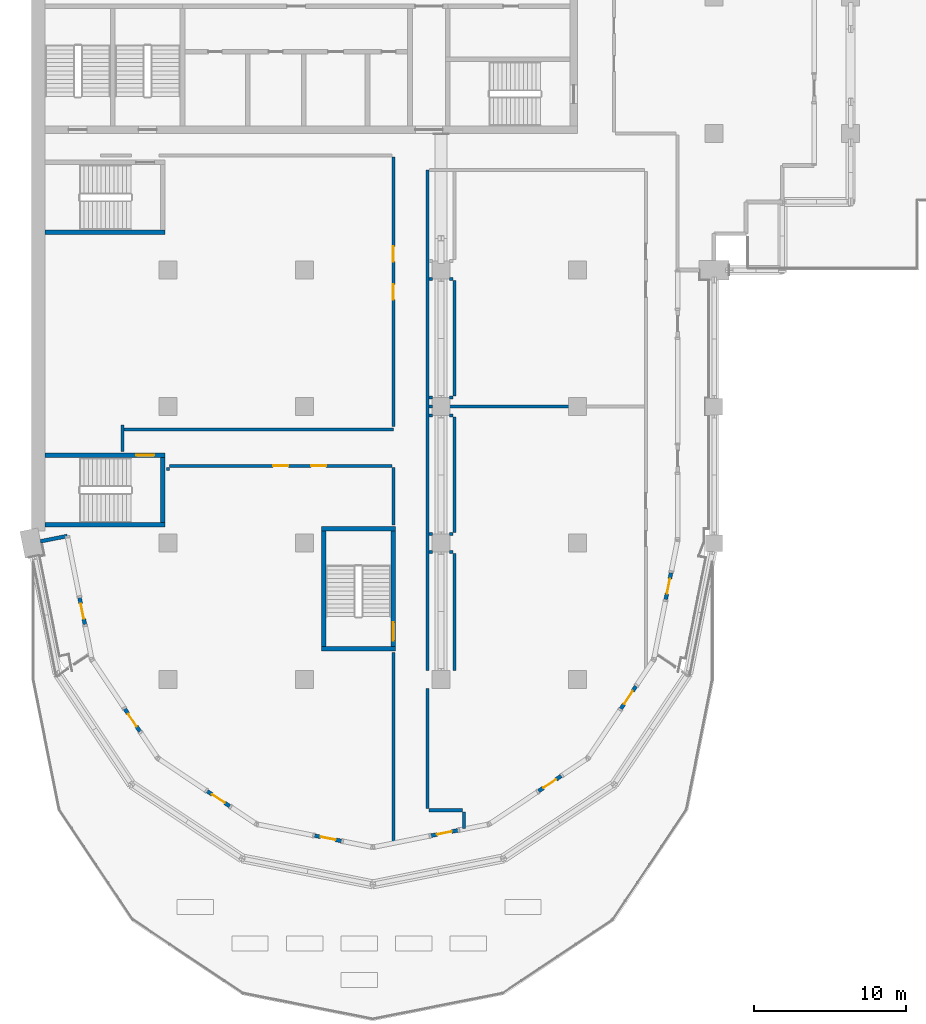
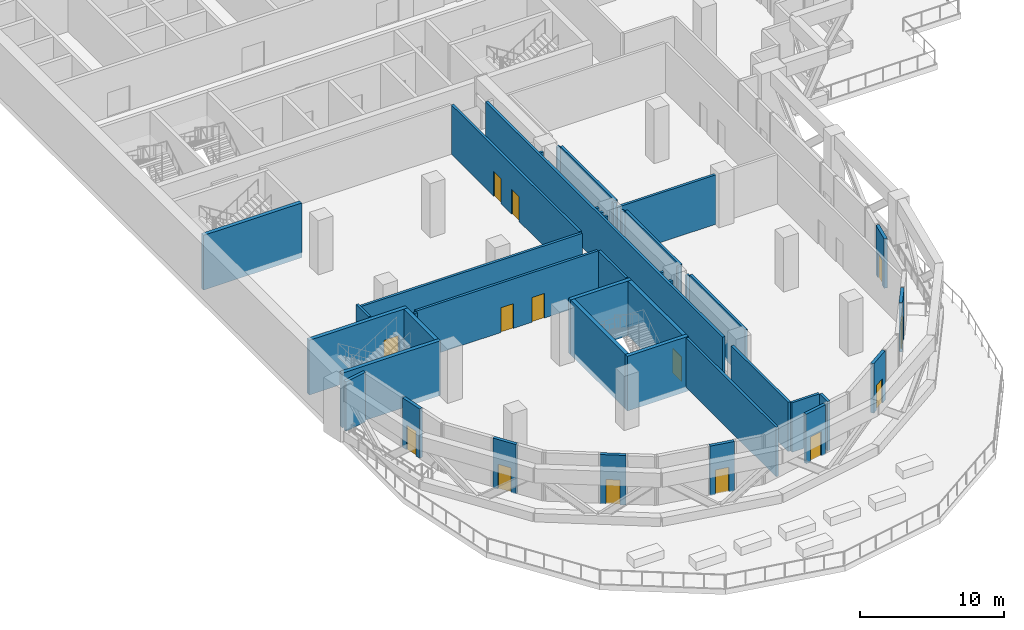
# One storey, part 7 of 20: 43 walls, 14 doors, 14 openings.
"""IFC4 building model written with IfcOpenShell, lengths in metres."""

from ifc_helpers import new_model, si_unit, direction, frame, frame_2d, origin, place, context, subcontext, project, spatial, rectangle, extrude, material, layer, layer_set, type_object, element, fill, save


model = new_model("IFC4")

# Units and contexts
model_context = context("Model", 3, precision=1e-05, world=origin(), true_north=direction((0.0, 1.0)))
body_context = subcontext(model_context, "Body", "Model", "MODEL_VIEW")
ifc_project = project(units=[si_unit("LENGTHUNIT", "METRE"), si_unit("AREAUNIT", "SQUARE_METRE"), si_unit("VOLUMEUNIT", "CUBIC_METRE"), si_unit("PLANEANGLEUNIT", "RADIAN"), si_unit("MASSUNIT", "GRAM", prefix="KILO")], contexts=[model_context])

# Site, building, storey
site_placement = place(None, origin())
site = spatial("IfcSite", under=ifc_project, at=site_placement, CompositionType="ELEMENT")
building_placement = place(site_placement, origin())
building = spatial("IfcBuilding", under=site, at=building_placement, Name="Hunhe Ridgeline Campus", CompositionType="ELEMENT")
storey_placement = place(building_placement, frame((0.0, 0.0, 178.199951171875)))
storey = spatial("IfcBuildingStorey", under=building, at=storey_placement, Name="L45", CompositionType="ELEMENT", Elevation=178.199951171875)

# Walls
ifc_material_1 = material(Name="Concrete C30", Category="concrete")
ifc_layer_1 = layer(ifc_material_1, 0.25)
ifc_layer_set_1 = layer_set([ifc_layer_1], Name="Corner return wall 250 Concrete C30")
wall_type_1 = type_object("IfcWallType", Name="Corner return wall 250 Concrete C30", PredefinedType="SOLIDWALL", material=ifc_layer_set_1)
wall_1_placement = place(storey_placement, frame((0.58837890625, 36.117919921875, 0.0), z_axis=(0.0, 0.0, 1.0), x_axis=(0.980840518545, 0.194812415363, 0.0)))
element("IfcWall", 1, at=wall_1_placement, inside=storey, type_object=wall_type_1, Name="Corner return wall 1", PredefinedType="SOLIDWALL", context=body_context, shape_type="SweptSolid", body=[
    extrude(rectangle(XDim=1.80078125, YDim=0.25, at=frame_2d((0.900390625, 0.0))), origin(), (0.0, 0.0, 1.0), 4.199951171875),
])
ifc_material_2 = material(Name="Gypsum board partition")
ifc_layer_2 = layer(ifc_material_2, 0.199951171875)
ifc_layer_set_2 = layer_set([ifc_layer_2], Name="Corridor partition 200 gypsum board on steel studs")
wall_type_2 = type_object("IfcWallType", Name="Corridor partition 200 gypsum board on steel studs", PredefinedType="PARTITIONING", material=ifc_layer_set_2)
wall_2_placement = place(storey_placement, frame((26.199951171875, 18.386962890625, 0.0), z_axis=(0.0, 0.0, 1.0), x_axis=(1.0, 0.0, 0.0)))
element("IfcWall", 2, at=wall_2_placement, inside=storey, type_object=wall_type_2, Name="F-L45-wall-001", PredefinedType="PARTITIONING", context=body_context, shape_type="SweptSolid", body=[
    extrude(rectangle(XDim=2.219970703125, YDim=0.199951171875, at=frame_2d((1.10986328125, 0.0))), origin(), (0.0, 0.0, 1.0), 4.199951171875),
])
for number, where, z_axis, x_axis, name in (
    (3, (26.199951171875, 35.39990234375, 0.0), (0.0, 0.0, 1.0), (1.0, 0.0, 0.0), "F-L45-wall-002"),
    (4, (27.550048828125, 35.39990234375, 0.0), (0.0, 0.0, 1.0), (1.0, 0.0, 0.0), "F-L45-wall-003"),
    (5, (26.199951171875, 36.60009765625, 0.0), (0.0, 0.0, 1.0), (1.0, 0.0, 0.0), "F-L45-wall-004"),
    (6, (27.550048828125, 36.60009765625, 0.0), (0.0, 0.0, 1.0), (1.0, 0.0, 0.0), "F-L45-wall-005"),
):
    element("IfcWall", number, at=place(storey_placement, frame(where, z_axis=z_axis, x_axis=x_axis)), inside=storey, type_object=wall_type_2, Name=name, PredefinedType="PARTITIONING", context=body_context, shape_type="SweptSolid", body=[
        extrude(rectangle(XDim=0.25, YDim=0.199951171875, at=frame_2d((0.125, 0.0))), origin(), (0.0, 0.0, 1.0), 4.199951171875),
    ])

# Wall, openings, doors
wall_3_placement = place(storey_placement, frame((23.75, 41.10009765625, 0.0), z_axis=(0.0, 0.0, 1.0), x_axis=(-1.0, 0.0, 0.0)))
wall_3 = element("IfcWall", 7, at=wall_3_placement, inside=storey, type_object=wall_type_2, Name="F-L45-wall-006", PredefinedType="PARTITIONING", context=body_context, shape_type="SweptSolid", body=[
    extrude(rectangle(XDim=14.64990234375, YDim=0.199951171875, at=frame_2d((7.324951171875, 0.0))), origin(), (0.0, 0.0, 1.0), 4.199951171875),
])
opening_1_placement = place(wall_3_placement, frame((6.824951171875, 0.0, 0.0)))
opening_1 = element("IfcOpeningElement", 8, at=opening_1_placement, cuts=wall_3, Name="Opening RD1-003", PredefinedType="OPENING", context=body_context, shape_type="SweptSolid", body=[
    extrude(rectangle(XDim=1.0, YDim=2.10009765625, at=frame_2d((0.5, 1.050048828125))), frame((0.0, 0.10009765625, 0.0), z_axis=(0.0, -1.0, 0.0), x_axis=(1.0, 0.0, 0.0)), (0.0, 0.0, 1.0), 0.199951171875),
])
opening_2_placement = place(wall_3_placement, frame((4.324951171875, 0.0, 0.0)))
opening_2 = element("IfcOpeningElement", 9, at=opening_2_placement, cuts=wall_3, Name="Opening RD1-004", PredefinedType="OPENING", context=body_context, shape_type="SweptSolid", body=[
    extrude(rectangle(XDim=1.0, YDim=2.10009765625, at=frame_2d((0.5, 1.050048828125))), frame((0.0, 0.10009765625, 0.0), z_axis=(0.0, -1.0, 0.0), x_axis=(1.0, 0.0, 0.0)), (0.0, 0.0, 1.0), 0.199951171875),
])
ifc_material_3 = material(Name="Timber door leaf", Category="wood")
door_type_1 = type_object("IfcDoorType", Name="Single fire door 1000x2100 timber FD60", OperationType="NOTDEFINED", PredefinedType="DOOR", material=ifc_material_3)
door_1_placement = place(opening_1_placement, frame((1.0, 0.0, 0.0), z_axis=(0.0, 0.0, 1.0), x_axis=(-1.0, 0.0, 0.0)))
door_1 = element("IfcDoor", 10, at=door_1_placement, inside=storey, type_object=door_type_1, Name="F-L45-door-003", OperationType="SINGLE_SWING_RIGHT", OverallHeight=2.10009765625, OverallWidth=1.0, PredefinedType="DOOR", context=body_context, shape_type="SweptSolid", body=[
    extrude(rectangle(XDim=1.0, YDim=2.10009765625, at=frame_2d((0.5, 1.050048828125))), frame((0.0, 0.02490234375, 0.0), z_axis=(0.0, -1.0, 0.0), x_axis=(1.0, 0.0, 0.0)), (0.0, 0.0, 1.0), 0.050048828125),
])
fill(opening_1, door_1)
door_2_placement = place(opening_2_placement, frame((1.0, 0.0, 0.0), z_axis=(0.0, 0.0, 1.0), x_axis=(-1.0, 0.0, 0.0)))
door_2 = element("IfcDoor", 11, at=door_2_placement, inside=storey, type_object=door_type_1, Name="F-L45-door-004", OperationType="SINGLE_SWING_RIGHT", OverallHeight=2.10009765625, OverallWidth=1.0, PredefinedType="DOOR", context=body_context, shape_type="SweptSolid", body=[
    extrude(rectangle(XDim=1.0, YDim=2.10009765625, at=frame_2d((0.5, 1.050048828125))), frame((0.0, 0.02490234375, 0.0), z_axis=(0.0, -1.0, 0.0), x_axis=(1.0, 0.0, 0.0)), (0.0, 0.0, 1.0), 0.050048828125),
])
fill(opening_2, door_2)

# Walls
wall_4_placement = place(storey_placement, frame((6.10009765625, 43.5, 0.0), z_axis=(0.0, 0.0, 1.0), x_axis=(1.0, 0.0, 0.0)))
element("IfcWall", 12, at=wall_4_placement, inside=storey, type_object=wall_type_2, Name="F-L45-wall-007", PredefinedType="PARTITIONING", context=body_context, shape_type="SweptSolid", body=[
    extrude(rectangle(XDim=17.75, YDim=0.199951171875, at=frame_2d((8.875, 0.0))), origin(), (0.0, 0.0, 1.0), 4.199951171875),
])
for number, where, z_axis, x_axis, name in (
    (13, (26.199951171875, 44.39990234375, 0.0), (0.0, 0.0, 1.0), (1.0, 0.0, 0.0), "F-L45-wall-008"),
    (14, (27.550048828125, 44.39990234375, 0.0), (0.0, 0.0, 1.0), (1.0, 0.0, 0.0), "F-L45-wall-009"),
    (15, (26.199951171875, 45.0, 0.0), (0.0, 0.0, 1.0), (1.0, 0.0, 0.0), "F-L45-wall-010"),
):
    element("IfcWall", number, at=place(storey_placement, frame(where, z_axis=z_axis, x_axis=x_axis)), inside=storey, type_object=wall_type_2, Name=name, PredefinedType="PARTITIONING", context=body_context, shape_type="SweptSolid", body=[
        extrude(rectangle(XDim=0.25, YDim=0.199951171875, at=frame_2d((0.125, 0.0))), origin(), (0.0, 0.0, 1.0), 4.199951171875),
    ])
wall_5_placement = place(storey_placement, frame((27.550048828125, 45.0, 0.0), z_axis=(0.0, 0.0, 1.0), x_axis=(1.0, 0.0, 0.0)))
element("IfcWall", 16, at=wall_5_placement, inside=storey, type_object=wall_type_2, Name="F-L45-wall-011", PredefinedType="PARTITIONING", context=body_context, shape_type="SweptSolid", body=[
    extrude(rectangle(XDim=7.89990234375, YDim=0.199951171875, at=frame_2d((3.949951171875, 0.0))), origin(), (0.0, 0.0, 1.0), 4.199951171875),
])
for number, where, z_axis, x_axis, name in (
    (17, (26.199951171875, 45.60009765625, 0.0), (0.0, 0.0, 1.0), (1.0, 0.0, 0.0), "F-L45-wall-013"),
    (18, (27.550048828125, 45.60009765625, 0.0), (0.0, 0.0, 1.0), (1.0, 0.0, 0.0), "F-L45-wall-014"),
    (19, (26.199951171875, 53.39990234375, 0.0), (0.0, 0.0, 1.0), (1.0, 0.0, 0.0), "F-L45-wall-015"),
    (20, (27.550048828125, 53.39990234375, 0.0), (0.0, 0.0, 1.0), (1.0, 0.0, 0.0), "F-L45-wall-016"),
):
    element("IfcWall", number, at=place(storey_placement, frame(where, z_axis=z_axis, x_axis=x_axis)), inside=storey, type_object=wall_type_2, Name=name, PredefinedType="PARTITIONING", context=body_context, shape_type="SweptSolid", body=[
        extrude(rectangle(XDim=0.25, YDim=0.199951171875, at=frame_2d((0.125, 0.0))), origin(), (0.0, 0.0, 1.0), 4.199951171875),
    ])
wall_6_placement = place(storey_placement, frame((6.0, 42.053955078125, 0.0), z_axis=(0.0, 0.0, 1.0), x_axis=(0.0, 1.0, 0.0)))
element("IfcWall", 21, at=wall_6_placement, inside=storey, type_object=wall_type_2, Name="F-L45-wall-032", PredefinedType="PARTITIONING", context=body_context, shape_type="SweptSolid", body=[
    extrude(rectangle(XDim=1.74609375, YDim=0.199951171875, at=frame_2d((0.873046875, 0.0))), origin(), (0.0, 0.0, 1.0), 4.199951171875),
])
wall_7_placement = place(storey_placement, frame((9.0, 41.0, 0.0), z_axis=(0.0, 0.0, 1.0), x_axis=(0.0, -1.0, 0.0)))
element("IfcWall", 22, at=wall_7_placement, inside=storey, type_object=wall_type_2, Name="F-L45-wall-033", PredefinedType="PARTITIONING", context=body_context, shape_type="SweptSolid", body=[
    extrude(rectangle(XDim=0.199951171875, YDim=0.199951171875, at=frame_2d((0.10009765625, 0.0))), origin(), (0.0, 0.0, 1.0), 4.199951171875),
])

# Wall, openings, doors
wall_8_placement = place(storey_placement, frame((23.85009765625, 43.67529296875, 0.0), z_axis=(0.0, 0.0, 1.0), x_axis=(0.0, 1.0, 0.0)))
wall_8 = element("IfcWall", 23, at=wall_8_placement, inside=storey, type_object=wall_type_2, Name="F-L45-wall-034", PredefinedType="PARTITIONING", context=body_context, shape_type="SweptSolid", body=[
    extrude(rectangle(XDim=17.774658203125, YDim=0.199951171875, at=frame_2d((8.88720703125, 0.0))), origin(), (0.0, 0.0, 1.0), 4.199951171875),
])
opening_3_placement = place(wall_8_placement, frame((8.387451171875, 0.0, 0.0)))
opening_3 = element("IfcOpeningElement", 24, at=opening_3_placement, cuts=wall_8, Name="Opening RD1-005", PredefinedType="OPENING", context=body_context, shape_type="SweptSolid", body=[
    extrude(rectangle(XDim=1.0, YDim=2.10009765625, at=frame_2d((0.5, 1.050048828125))), frame((0.0, 0.10009765625, 0.0), z_axis=(0.0, -1.0, 0.0), x_axis=(1.0, 0.0, 0.0)), (0.0, 0.0, 1.0), 0.199951171875),
])
opening_4_placement = place(wall_8_placement, frame((10.887451171875, 0.0, 0.0)))
opening_4 = element("IfcOpeningElement", 25, at=opening_4_placement, cuts=wall_8, Name="Opening RD1-007", PredefinedType="OPENING", context=body_context, shape_type="SweptSolid", body=[
    extrude(rectangle(XDim=1.0, YDim=2.10009765625, at=frame_2d((0.5, 1.050048828125))), frame((0.0, 0.10009765625, 0.0), z_axis=(0.0, -1.0, 0.0), x_axis=(1.0, 0.0, 0.0)), (0.0, 0.0, 1.0), 0.199951171875),
])
door_3_placement = place(opening_3_placement, frame((1.0, 0.0, 0.0), z_axis=(0.0, 0.0, 1.0), x_axis=(-1.0, 0.0, 0.0)))
door_3 = element("IfcDoor", 26, at=door_3_placement, inside=storey, type_object=door_type_1, Name="F-L45-door-005", OperationType="SINGLE_SWING_LEFT", OverallHeight=2.10009765625, OverallWidth=1.0, PredefinedType="DOOR", context=body_context, shape_type="SweptSolid", body=[
    extrude(rectangle(XDim=1.0, YDim=2.10009765625, at=frame_2d((0.5, 1.050048828125))), frame((0.0, 0.02490234375, 0.0), z_axis=(0.0, -1.0, 0.0), x_axis=(1.0, 0.0, 0.0)), (0.0, 0.0, 1.0), 0.050048828125),
])
fill(opening_3, door_3)
door_4_placement = place(opening_4_placement, frame((1.0, 0.0, 0.0), z_axis=(0.0, 0.0, 1.0), x_axis=(-1.0, 0.0, 0.0)))
door_4 = element("IfcDoor", 27, at=door_4_placement, inside=storey, type_object=door_type_1, Name="F-L45-door-007", OperationType="SINGLE_SWING_LEFT", OverallHeight=2.10009765625, OverallWidth=1.0, PredefinedType="DOOR", context=body_context, shape_type="SweptSolid", body=[
    extrude(rectangle(XDim=1.0, YDim=2.10009765625, at=frame_2d((0.5, 1.050048828125))), frame((0.0, 0.02490234375, 0.0), z_axis=(0.0, -1.0, 0.0), x_axis=(1.0, 0.0, 0.0)), (0.0, 0.0, 1.0), 0.050048828125),
])
fill(opening_4, door_4)

# Walls
wall_9_placement = place(storey_placement, frame((23.85009765625, 16.271728515625, 0.0), z_axis=(0.0, 0.0, 1.0), x_axis=(0.0, 1.0, 0.0)))
element("IfcWall", 28, at=wall_9_placement, inside=storey, type_object=wall_type_2, Name="F-L45-wall-035", PredefinedType="PARTITIONING", context=body_context, shape_type="SweptSolid", body=[
    extrude(rectangle(XDim=12.524169921875, YDim=0.199951171875, at=frame_2d((6.26220703125, 0.0))), origin(), (0.0, 0.0, 1.0), 4.199951171875),
])
wall_10_placement = place(storey_placement, frame((23.85009765625, 37.2041015625, 0.0), z_axis=(0.0, 0.0, 1.0), x_axis=(0.0, 1.0, 0.0)))
element("IfcWall", 29, at=wall_10_placement, inside=storey, type_object=wall_type_2, Name="F-L45-wall-036", PredefinedType="PARTITIONING", context=body_context, shape_type="SweptSolid", body=[
    extrude(rectangle(XDim=3.7958984375, YDim=0.199951171875, at=frame_2d((1.89794921875, 0.0))), origin(), (0.0, 0.0, 1.0), 4.199951171875),
])
wall_11_placement = place(storey_placement, frame((26.10009765625, 26.39990234375, 0.0), z_axis=(0.0, 0.0, 1.0), x_axis=(0.0, -1.0, 0.0)))
element("IfcWall", 30, at=wall_11_placement, inside=storey, type_object=wall_type_2, Name="F-L45-wall-037", PredefinedType="PARTITIONING", context=body_context, shape_type="SweptSolid", body=[
    extrude(rectangle(XDim=7.912841796875, YDim=0.199951171875, at=frame_2d((3.95654296875, 0.0))), origin(), (0.0, 0.0, 1.0), 4.199951171875),
])
wall_12_placement = place(storey_placement, frame((26.10009765625, 60.599853515625, 0.0), z_axis=(0.0, 0.0, 1.0), x_axis=(0.0, -1.0, 0.0)))
element("IfcWall", 31, at=wall_12_placement, inside=storey, type_object=wall_type_2, Name="F-L45-wall-038", PredefinedType="PARTITIONING", context=body_context, shape_type="SweptSolid", body=[
    extrude(rectangle(XDim=32.999755859375, YDim=0.199951171875, at=frame_2d((16.5, 0.0))), origin(), (0.0, 0.0, 1.0), 4.199951171875),
])
wall_13_placement = place(storey_placement, frame((27.89990234375, 35.300048828125, 0.0), z_axis=(0.0, 0.0, 1.0), x_axis=(0.0, -1.0, 0.0)))
element("IfcWall", 32, at=wall_13_placement, inside=storey, type_object=wall_type_2, Name="F-L45-wall-039", PredefinedType="PARTITIONING", context=body_context, shape_type="SweptSolid", body=[
    extrude(rectangle(XDim=7.699951171875, YDim=0.199951171875, at=frame_2d((3.85009765625, 0.0))), origin(), (0.0, 0.0, 1.0), 4.199951171875),
])
for number, where, z_axis, x_axis, name in (
    (33, (27.89990234375, 44.300048828125, 0.0), (0.0, 0.0, 1.0), (0.0, -1.0, 0.0), "F-L45-wall-040"),
    (34, (27.89990234375, 53.300048828125, 0.0), (0.0, 0.0, 1.0), (0.0, -1.0, 0.0), "F-L45-wall-041"),
):
    element("IfcWall", number, at=place(storey_placement, frame(where, z_axis=z_axis, x_axis=x_axis)), inside=storey, type_object=wall_type_2, Name=name, PredefinedType="PARTITIONING", context=body_context, shape_type="SweptSolid", body=[
        extrude(rectangle(XDim=7.60009765625, YDim=0.199951171875, at=frame_2d((3.800048828125, 0.0))), origin(), (0.0, 0.0, 1.0), 4.199951171875),
    ])
wall_14_placement = place(storey_placement, frame((28.52001953125, 18.287109375, 0.0), z_axis=(0.0, 0.0, 1.0), x_axis=(0.0, -1.0, 0.0)))
element("IfcWall", 35, at=wall_14_placement, inside=storey, type_object=wall_type_2, Name="F-L45-wall-043", PredefinedType="PARTITIONING", context=body_context, shape_type="SweptSolid", body=[
    extrude(rectangle(XDim=1.086669921875, YDim=0.199951171875, at=frame_2d((0.54345703125, 0.0))), origin(), (0.0, 0.0, 1.0), 4.199951171875),
])

# Wall, opening, door
ifc_layer_3 = layer(ifc_material_1, 0.25)
ifc_layer_set_3 = layer_set([ifc_layer_3], Name="Loggia door pier wall 250 Concrete C30")
wall_type_3 = type_object("IfcWallType", Name="Loggia door pier wall 250 Concrete C30", PredefinedType="SOLIDWALL", material=ifc_layer_set_3)
wall_15_placement = place(storey_placement, frame((3.16455078125, 32.3974609375, 0.0), z_axis=(0.0, 0.0, 1.0), x_axis=(0.19517704197, -0.980768026746, 0.0)))
wall_15 = element("IfcWall", 36, at=wall_15_placement, inside=storey, type_object=wall_type_3, Name="Loggia door pier 1", PredefinedType="SOLIDWALL", context=body_context, shape_type="SweptSolid", body=[
    extrude(rectangle(XDim=1.800048828125, YDim=0.25, at=frame_2d((0.89990234375, 0.0))), origin(), (0.0, 0.0, 1.0), 4.199951171875),
])
opening_5_placement = place(wall_15_placement, frame((0.39990234375, 0.0, 0.0)))
opening_5 = element("IfcOpeningElement", 37, at=opening_5_placement, cuts=wall_15, Name="Opening BR401", PredefinedType="OPENING", context=body_context, shape_type="SweptSolid", body=[
    extrude(rectangle(XDim=1.0, YDim=2.10009765625, at=frame_2d((0.5, 1.050048828125))), frame((0.0, 0.125, 0.0), z_axis=(0.0, -1.0, 0.0), x_axis=(1.0, 0.0, 0.0)), (0.0, 0.0, 1.0), 0.25),
])
ifc_material_4 = material(Name="Aluminium 6063", Category="aluminium")
door_type_2 = type_object("IfcDoorType", Name="Loggia glazed door 1000x2100", OperationType="NOTDEFINED", PredefinedType="DOOR", material=ifc_material_4)
door_5_placement = place(opening_5_placement, frame((1.0, 0.0, 0.0), z_axis=(0.0, 0.0, 1.0), x_axis=(-1.0, 0.0, 0.0)))
door_5 = element("IfcDoor", 38, at=door_5_placement, inside=storey, type_object=door_type_2, Name="Loggia door BR401", OperationType="SINGLE_SWING_RIGHT", OverallHeight=2.10009765625, OverallWidth=1.0, PredefinedType="DOOR", context=body_context, shape_type="SweptSolid", body=[
    extrude(rectangle(XDim=1.0, YDim=2.10009765625, at=frame_2d((0.5, 1.050048828125))), frame((0.0, 0.02490234375, 0.0), z_axis=(0.0, -1.0, 0.0), x_axis=(1.0, 0.0, 0.0)), (0.0, 0.0, 1.0), 0.050048828125),
])
fill(opening_5, door_5)

wall_16_placement = place(storey_placement, frame((6.147705078125, 25.07373046875, 0.0), z_axis=(0.0, 0.0, 1.0), x_axis=(0.555576323502, -0.83146554274, 0.0)))
wall_16 = element("IfcWall", 39, at=wall_16_placement, inside=storey, type_object=wall_type_3, Name="Loggia door pier 2", PredefinedType="SOLIDWALL", context=body_context, shape_type="SweptSolid", body=[
    extrude(rectangle(XDim=1.800048828125, YDim=0.25, at=frame_2d((0.89990234375, 0.0))), origin(), (0.0, 0.0, 1.0), 4.199951171875),
])
opening_6_placement = place(wall_16_placement, frame((0.39990234375, 0.0, 0.0)))
opening_6 = element("IfcOpeningElement", 40, at=opening_6_placement, cuts=wall_16, Name="Opening BR402", PredefinedType="OPENING", context=body_context, shape_type="SweptSolid", body=[
    extrude(rectangle(XDim=1.0, YDim=2.10009765625, at=frame_2d((0.5, 1.050048828125))), frame((0.0, 0.125, 0.0), z_axis=(0.0, -1.0, 0.0), x_axis=(1.0, 0.0, 0.0)), (0.0, 0.0, 1.0), 0.25),
])
door_6_placement = place(opening_6_placement, frame((1.0, 0.0, 0.0), z_axis=(0.0, 0.0, 1.0), x_axis=(-1.0, 0.0, 0.0)))
door_6 = element("IfcDoor", 41, at=door_6_placement, inside=storey, type_object=door_type_2, Name="Loggia door BR402", OperationType="SINGLE_SWING_LEFT", OverallHeight=2.10009765625, OverallWidth=1.0, PredefinedType="DOOR", context=body_context, shape_type="SweptSolid", body=[
    extrude(rectangle(XDim=1.0, YDim=2.10009765625, at=frame_2d((0.5, 1.050048828125))), frame((0.0, 0.02490234375, 0.0), z_axis=(0.0, -1.0, 0.0), x_axis=(1.0, 0.0, 0.0)), (0.0, 0.0, 1.0), 0.050048828125),
])
fill(opening_6, door_6)

wall_17_placement = place(storey_placement, frame((11.57373046875, 19.647705078125, 0.0), z_axis=(0.0, 0.0, 1.0), x_axis=(0.83146554274, -0.555576323502, 0.0)))
wall_17 = element("IfcWall", 42, at=wall_17_placement, inside=storey, type_object=wall_type_3, Name="Loggia door pier 3", PredefinedType="SOLIDWALL", context=body_context, shape_type="SweptSolid", body=[
    extrude(rectangle(XDim=1.800048828125, YDim=0.25, at=frame_2d((0.89990234375, 0.0))), origin(), (0.0, 0.0, 1.0), 4.199951171875),
])
opening_7_placement = place(wall_17_placement, frame((0.39990234375, 0.0, 0.0)))
opening_7 = element("IfcOpeningElement", 43, at=opening_7_placement, cuts=wall_17, Name="Opening BR403", PredefinedType="OPENING", context=body_context, shape_type="SweptSolid", body=[
    extrude(rectangle(XDim=1.0, YDim=2.10009765625, at=frame_2d((0.5, 1.050048828125))), frame((0.0, 0.125, 0.0), z_axis=(0.0, -1.0, 0.0), x_axis=(1.0, 0.0, 0.0)), (0.0, 0.0, 1.0), 0.25),
])
door_7_placement = place(opening_7_placement, frame((1.0, 0.0, 0.0), z_axis=(0.0, 0.0, 1.0), x_axis=(-1.0, 0.0, 0.0)))
door_7 = element("IfcDoor", 44, at=door_7_placement, inside=storey, type_object=door_type_2, Name="Loggia door BR403", OperationType="SINGLE_SWING_RIGHT", OverallHeight=2.10009765625, OverallWidth=1.0, PredefinedType="DOOR", context=body_context, shape_type="SweptSolid", body=[
    extrude(rectangle(XDim=1.0, YDim=2.10009765625, at=frame_2d((0.5, 1.050048828125))), frame((0.0, 0.02490234375, 0.0), z_axis=(0.0, -1.0, 0.0), x_axis=(1.0, 0.0, 0.0)), (0.0, 0.0, 1.0), 0.050048828125),
])
fill(opening_7, door_7)

wall_18_placement = place(storey_placement, frame((18.663330078125, 16.711181640625, 0.0), z_axis=(0.0, 0.0, 1.0), x_axis=(0.980793982239, -0.195046569833, 0.0)))
wall_18 = element("IfcWall", 45, at=wall_18_placement, inside=storey, type_object=wall_type_3, Name="Loggia door pier 4", PredefinedType="SOLIDWALL", context=body_context, shape_type="SweptSolid", body=[
    extrude(rectangle(XDim=1.800048828125, YDim=0.25, at=frame_2d((0.89990234375, 0.0))), origin(), (0.0, 0.0, 1.0), 4.199951171875),
])
opening_8_placement = place(wall_18_placement, frame((0.39990234375, 0.0, 0.0)))
opening_8 = element("IfcOpeningElement", 46, at=opening_8_placement, cuts=wall_18, Name="Opening BR404", PredefinedType="OPENING", context=body_context, shape_type="SweptSolid", body=[
    extrude(rectangle(XDim=1.0, YDim=2.10009765625, at=frame_2d((0.5, 1.050048828125))), frame((0.0, 0.125, 0.0), z_axis=(0.0, -1.0, 0.0), x_axis=(1.0, 0.0, 0.0)), (0.0, 0.0, 1.0), 0.25),
])
door_8_placement = place(opening_8_placement, frame((1.0, 0.0, 0.0), z_axis=(0.0, 0.0, 1.0), x_axis=(-1.0, 0.0, 0.0)))
door_8 = element("IfcDoor", 47, at=door_8_placement, inside=storey, type_object=door_type_2, Name="Loggia door BR404", OperationType="SINGLE_SWING_LEFT", OverallHeight=2.10009765625, OverallWidth=1.0, PredefinedType="DOOR", context=body_context, shape_type="SweptSolid", body=[
    extrude(rectangle(XDim=1.0, YDim=2.10009765625, at=frame_2d((0.5, 1.050048828125))), frame((0.0, 0.02490234375, 0.0), z_axis=(0.0, -1.0, 0.0), x_axis=(1.0, 0.0, 0.0)), (0.0, 0.0, 1.0), 0.050048828125),
])
fill(opening_8, door_8)

wall_19_placement = place(storey_placement, frame((26.336669921875, 16.711181640625, 0.0), z_axis=(0.0, 0.0, 1.0), x_axis=(0.98077319256, 0.195151081871, 0.0)))
wall_19 = element("IfcWall", 48, at=wall_19_placement, inside=storey, type_object=wall_type_3, Name="Loggia door pier 5", PredefinedType="SOLIDWALL", context=body_context, shape_type="SweptSolid", body=[
    extrude(rectangle(XDim=1.80029296875, YDim=0.25, at=frame_2d((0.900146484375, 0.0))), origin(), (0.0, 0.0, 1.0), 4.199951171875),
])
opening_9_placement = place(wall_19_placement, frame((0.39990234375, 0.0, 0.0)))
opening_9 = element("IfcOpeningElement", 49, at=opening_9_placement, cuts=wall_19, Name="Opening BR405", PredefinedType="OPENING", context=body_context, shape_type="SweptSolid", body=[
    extrude(rectangle(XDim=1.0, YDim=2.10009765625, at=frame_2d((0.5, 1.050048828125))), frame((0.0, 0.125, 0.0), z_axis=(0.0, -1.0, 0.0), x_axis=(1.0, 0.0, 0.0)), (0.0, 0.0, 1.0), 0.25),
])
door_9_placement = place(opening_9_placement, frame((1.0, 0.0, 0.0), z_axis=(0.0, 0.0, 1.0), x_axis=(-1.0, 0.0, 0.0)))
door_9 = element("IfcDoor", 50, at=door_9_placement, inside=storey, type_object=door_type_2, Name="Loggia door BR405", OperationType="SINGLE_SWING_RIGHT", OverallHeight=2.10009765625, OverallWidth=1.0, PredefinedType="DOOR", context=body_context, shape_type="SweptSolid", body=[
    extrude(rectangle(XDim=1.0, YDim=2.10009765625, at=frame_2d((0.5, 1.050048828125))), frame((0.0, 0.02490234375, 0.0), z_axis=(0.0, -1.0, 0.0), x_axis=(1.0, 0.0, 0.0)), (0.0, 0.0, 1.0), 0.050048828125),
])
fill(opening_9, door_9)

wall_20_placement = place(storey_placement, frame((33.42626953125, 19.647705078125, 0.0), z_axis=(0.0, 0.0, 1.0), x_axis=(0.83146554274, 0.555576323502, 0.0)))
wall_20 = element("IfcWall", 51, at=wall_20_placement, inside=storey, type_object=wall_type_3, Name="Loggia door pier 6", PredefinedType="SOLIDWALL", context=body_context, shape_type="SweptSolid", body=[
    extrude(rectangle(XDim=1.800048828125, YDim=0.25, at=frame_2d((0.89990234375, 0.0))), origin(), (0.0, 0.0, 1.0), 4.199951171875),
])
opening_10_placement = place(wall_20_placement, frame((0.39990234375, 0.0, 0.0)))
opening_10 = element("IfcOpeningElement", 52, at=opening_10_placement, cuts=wall_20, Name="Opening BR406", PredefinedType="OPENING", context=body_context, shape_type="SweptSolid", body=[
    extrude(rectangle(XDim=1.0, YDim=2.10009765625, at=frame_2d((0.5, 1.050048828125))), frame((0.0, 0.125, 0.0), z_axis=(0.0, -1.0, 0.0), x_axis=(1.0, 0.0, 0.0)), (0.0, 0.0, 1.0), 0.25),
])
door_10_placement = place(opening_10_placement, frame((1.0, 0.0, 0.0), z_axis=(0.0, 0.0, 1.0), x_axis=(-1.0, 0.0, 0.0)))
door_10 = element("IfcDoor", 53, at=door_10_placement, inside=storey, type_object=door_type_2, Name="Loggia door BR406", OperationType="SINGLE_SWING_LEFT", OverallHeight=2.10009765625, OverallWidth=1.0, PredefinedType="DOOR", context=body_context, shape_type="SweptSolid", body=[
    extrude(rectangle(XDim=1.0, YDim=2.10009765625, at=frame_2d((0.5, 1.050048828125))), frame((0.0, 0.02490234375, 0.0), z_axis=(0.0, -1.0, 0.0), x_axis=(1.0, 0.0, 0.0)), (0.0, 0.0, 1.0), 0.050048828125),
])
fill(opening_10, door_10)

wall_21_placement = place(storey_placement, frame((38.852294921875, 25.07373046875, 0.0), z_axis=(0.0, 0.0, 1.0), x_axis=(0.555576323502, 0.83146554274, 0.0)))
wall_21 = element("IfcWall", 54, at=wall_21_placement, inside=storey, type_object=wall_type_3, Name="Loggia door pier 7", PredefinedType="SOLIDWALL", context=body_context, shape_type="SweptSolid", body=[
    extrude(rectangle(XDim=1.800048828125, YDim=0.25, at=frame_2d((0.89990234375, 0.0))), origin(), (0.0, 0.0, 1.0), 4.199951171875),
])
opening_11_placement = place(wall_21_placement, frame((0.39990234375, 0.0, 0.0)))
opening_11 = element("IfcOpeningElement", 55, at=opening_11_placement, cuts=wall_21, Name="Opening BR407", PredefinedType="OPENING", context=body_context, shape_type="SweptSolid", body=[
    extrude(rectangle(XDim=1.0, YDim=2.10009765625, at=frame_2d((0.5, 1.050048828125))), frame((0.0, 0.125, 0.0), z_axis=(0.0, -1.0, 0.0), x_axis=(1.0, 0.0, 0.0)), (0.0, 0.0, 1.0), 0.25),
])
door_11_placement = place(opening_11_placement, frame((1.0, 0.0, 0.0), z_axis=(0.0, 0.0, 1.0), x_axis=(-1.0, 0.0, 0.0)))
door_11 = element("IfcDoor", 56, at=door_11_placement, inside=storey, type_object=door_type_2, Name="Loggia door BR407", OperationType="SINGLE_SWING_RIGHT", OverallHeight=2.10009765625, OverallWidth=1.0, PredefinedType="DOOR", context=body_context, shape_type="SweptSolid", body=[
    extrude(rectangle(XDim=1.0, YDim=2.10009765625, at=frame_2d((0.5, 1.050048828125))), frame((0.0, 0.02490234375, 0.0), z_axis=(0.0, -1.0, 0.0), x_axis=(1.0, 0.0, 0.0)), (0.0, 0.0, 1.0), 0.050048828125),
])
fill(opening_11, door_11)

wall_22_placement = place(storey_placement, frame((41.812255859375, 32.281494140625, 0.0), z_axis=(0.0, 0.0, 1.0), x_axis=(0.19517704197, 0.980768026746, 0.0)))
wall_22 = element("IfcWall", 57, at=wall_22_placement, inside=storey, type_object=wall_type_3, Name="Loggia door pier 8", PredefinedType="SOLIDWALL", context=body_context, shape_type="SweptSolid", body=[
    extrude(rectangle(XDim=1.800048828125, YDim=0.25, at=frame_2d((0.89990234375, 0.0))), origin(), (0.0, 0.0, 1.0), 4.199951171875),
])
opening_12_placement = place(wall_22_placement, frame((0.39990234375, 0.0, 0.0)))
opening_12 = element("IfcOpeningElement", 58, at=opening_12_placement, cuts=wall_22, Name="Opening BR408", PredefinedType="OPENING", context=body_context, shape_type="SweptSolid", body=[
    extrude(rectangle(XDim=1.0, YDim=2.10009765625, at=frame_2d((0.5, 1.050048828125))), frame((0.0, 0.125, 0.0), z_axis=(0.0, -1.0, 0.0), x_axis=(1.0, 0.0, 0.0)), (0.0, 0.0, 1.0), 0.25),
])
door_12_placement = place(opening_12_placement, frame((1.0, 0.0, 0.0), z_axis=(0.0, 0.0, 1.0), x_axis=(-1.0, 0.0, 0.0)))
door_12 = element("IfcDoor", 59, at=door_12_placement, inside=storey, type_object=door_type_2, Name="Loggia door BR408", OperationType="SINGLE_SWING_LEFT", OverallHeight=2.10009765625, OverallWidth=1.0, PredefinedType="DOOR", context=body_context, shape_type="SweptSolid", body=[
    extrude(rectangle(XDim=1.0, YDim=2.10009765625, at=frame_2d((0.5, 1.050048828125))), frame((0.0, 0.02490234375, 0.0), z_axis=(0.0, -1.0, 0.0), x_axis=(1.0, 0.0, 0.0)), (0.0, 0.0, 1.0), 0.050048828125),
])
fill(opening_12, door_12)

# Walls
ifc_material_5 = material(Name="Concrete C60", Category="concrete")
ifc_layer_4 = layer(ifc_material_5, 0.300048828125)
ifc_layer_set_4 = layer_set([ifc_layer_4], Name="Stair wall 300 reinforced concrete C60")
wall_type_4 = type_object("IfcWallType", Name="Stair wall 300 reinforced concrete C60", PredefinedType="SOLIDWALL", material=ifc_layer_set_4)
for number, where, z_axis, x_axis, name in (
    (60, (19.10009765625, 29.050048828125, -0.449951171875), (0.0, 0.0, 1.0), (1.0, 0.0, 0.0), "L45 core wall 1"),
    (61, (19.10009765625, 36.949951171875, -0.449951171875), (0.0, 0.0, 1.0), (1.0, 0.0, 0.0), "L45 core wall 2"),
):
    element("IfcWall", number, at=place(storey_placement, frame(where, z_axis=z_axis, x_axis=x_axis)), inside=storey, type_object=wall_type_4, Name=name, PredefinedType="SOLIDWALL", context=body_context, shape_type="SweptSolid", body=[
        extrude(rectangle(XDim=4.89990234375, YDim=0.300048828125, at=frame_2d((2.449951171875, 0.0))), origin(), (0.0, 0.0, 1.0), 4.64990234375),
    ])
wall_23_placement = place(storey_placement, frame((0.89990234375, 37.199951171875, -0.449951171875), z_axis=(0.0, 0.0, 1.0), x_axis=(1.0, 0.0, 0.0)))
element("IfcWall", 62, at=wall_23_placement, inside=storey, type_object=wall_type_4, Name="L45 core wall 3", PredefinedType="SOLIDWALL", context=body_context, shape_type="SweptSolid", body=[
    extrude(rectangle(XDim=7.900146484375, YDim=0.300048828125, at=frame_2d((3.9501953125, 0.0))), origin(), (0.0, 0.0, 1.0), 4.64990234375),
])

# Wall, opening, door
wall_24_placement = place(storey_placement, frame((0.89990234375, 41.800048828125, -0.449951171875), z_axis=(0.0, 0.0, 1.0), x_axis=(1.0, 0.0, 0.0)))
wall_24 = element("IfcWall", 63, at=wall_24_placement, inside=storey, type_object=wall_type_4, Name="L45 core wall 4", PredefinedType="SOLIDWALL", context=body_context, shape_type="SweptSolid", body=[
    extrude(rectangle(XDim=7.900146484375, YDim=0.300048828125, at=frame_2d((3.9501953125, 0.0))), origin(), (0.0, 0.0, 1.0), 4.64990234375),
])
opening_13_placement = place(wall_24_placement, frame((6.0, 0.0, 0.449951171875)))
opening_13 = element("IfcOpeningElement", 64, at=opening_13_placement, cuts=wall_24, Name="Opening CD21", PredefinedType="OPENING", context=body_context, shape_type="SweptSolid", body=[
    extrude(rectangle(XDim=1.199951171875, YDim=2.10009765625, at=frame_2d((0.60009765625, 1.050048828125))), frame((0.0, 0.14990234375, 0.0), z_axis=(0.0, -1.0, 0.0), x_axis=(1.0, 0.0, 0.0)), (0.0, 0.0, 1.0), 0.300048828125),
])
ifc_material_6 = material(Name="Hollow metal fire door leaf")
door_type_3 = type_object("IfcDoorType", Name="Stair door 1200x2100 FD60", OperationType="SINGLE_SWING_LEFT", PredefinedType="DOOR", material=ifc_material_6)
door_13_placement = place(opening_13_placement, origin())
door_13 = element("IfcDoor", 65, at=door_13_placement, inside=storey, type_object=door_type_3, Name="L45 door W1", OperationType="SINGLE_SWING_LEFT", OverallHeight=2.10009765625, OverallWidth=1.199951171875, PredefinedType="DOOR", context=body_context, shape_type="SweptSolid", body=[
    extrude(rectangle(XDim=1.199951171875, YDim=2.10009765625, at=frame_2d((0.60009765625, 1.050048828125))), frame((0.0, 0.02490234375, 0.0), z_axis=(0.0, -1.0, 0.0), x_axis=(1.0, 0.0, 0.0)), (0.0, 0.0, 1.0), 0.050048828125),
])
fill(opening_13, door_13)

# Walls
wall_25_placement = place(storey_placement, frame((0.89990234375, 56.5, -0.449951171875), z_axis=(0.0, 0.0, 1.0), x_axis=(1.0, 0.0, 0.0)))
element("IfcWall", 66, at=wall_25_placement, inside=storey, type_object=wall_type_4, Name="L45 core wall 5", PredefinedType="SOLIDWALL", context=body_context, shape_type="SweptSolid", body=[
    extrude(rectangle(XDim=7.900146484375, YDim=0.300048828125, at=frame_2d((3.9501953125, 0.0))), origin(), (0.0, 0.0, 1.0), 4.64990234375),
])
wall_26_placement = place(storey_placement, frame((8.64990234375, 37.35009765625, -0.449951171875), z_axis=(0.0, 0.0, 1.0), x_axis=(0.0, 1.0, 0.0)))
element("IfcWall", 67, at=wall_26_placement, inside=storey, type_object=wall_type_4, Name="L45 core wall 42", PredefinedType="SOLIDWALL", context=body_context, shape_type="SweptSolid", body=[
    extrude(rectangle(XDim=4.2998046875, YDim=0.300048828125, at=frame_2d((2.14990234375, 0.0))), origin(), (0.0, 0.0, 1.0), 4.64990234375),
])
wall_27_placement = place(storey_placement, frame((19.25, 29.199951171875, -0.449951171875), z_axis=(0.0, 0.0, 1.0), x_axis=(0.0, 1.0, 0.0)))
element("IfcWall", 68, at=wall_27_placement, inside=storey, type_object=wall_type_4, Name="L45 core wall 52", PredefinedType="SOLIDWALL", context=body_context, shape_type="SweptSolid", body=[
    extrude(rectangle(XDim=7.60009765625, YDim=0.300048828125, at=frame_2d((3.800048828125, 0.0))), origin(), (0.0, 0.0, 1.0), 4.64990234375),
])

# Wall, opening, door
wall_28_placement = place(storey_placement, frame((23.85009765625, 29.199951171875, -0.449951171875), z_axis=(0.0, 0.0, 1.0), x_axis=(0.0, 1.0, 0.0)))
wall_28 = element("IfcWall", 69, at=wall_28_placement, inside=storey, type_object=wall_type_4, Name="L45 core wall 56", PredefinedType="SOLIDWALL", context=body_context, shape_type="SweptSolid", body=[
    extrude(rectangle(XDim=7.60009765625, YDim=0.300048828125, at=frame_2d((3.800048828125, 0.0))), origin(), (0.0, 0.0, 1.0), 4.64990234375),
])
opening_14_placement = place(wall_28_placement, frame((0.375, 0.0, 0.449951171875)))
opening_14 = element("IfcOpeningElement", 70, at=opening_14_placement, cuts=wall_28, Name="Opening CD23", PredefinedType="OPENING", context=body_context, shape_type="SweptSolid", body=[
    extrude(rectangle(XDim=1.199951171875, YDim=2.10009765625, at=frame_2d((0.60009765625, 1.050048828125))), frame((0.0, 0.14990234375, 0.0), z_axis=(0.0, -1.0, 0.0), x_axis=(1.0, 0.0, 0.0)), (0.0, 0.0, 1.0), 0.300048828125),
])
door_14_placement = place(opening_14_placement, frame((1.199951171875, 0.0, 0.0), z_axis=(0.0, 0.0, 1.0), x_axis=(-1.0, 0.0, 0.0)))
door_14 = element("IfcDoor", 71, at=door_14_placement, inside=storey, type_object=door_type_3, Name="L45 door W3", OperationType="SINGLE_SWING_RIGHT", OverallHeight=2.10009765625, OverallWidth=1.199951171875, PredefinedType="DOOR", context=body_context, shape_type="SweptSolid", body=[
    extrude(rectangle(XDim=1.199951171875, YDim=2.10009765625, at=frame_2d((0.60009765625, 1.050048828125))), frame((0.0, 0.02490234375, 0.0), z_axis=(0.0, -1.0, 0.0), x_axis=(1.0, 0.0, 0.0)), (0.0, 0.0, 1.0), 0.050048828125),
])
fill(opening_14, door_14)

save(model, "model.ifc")
